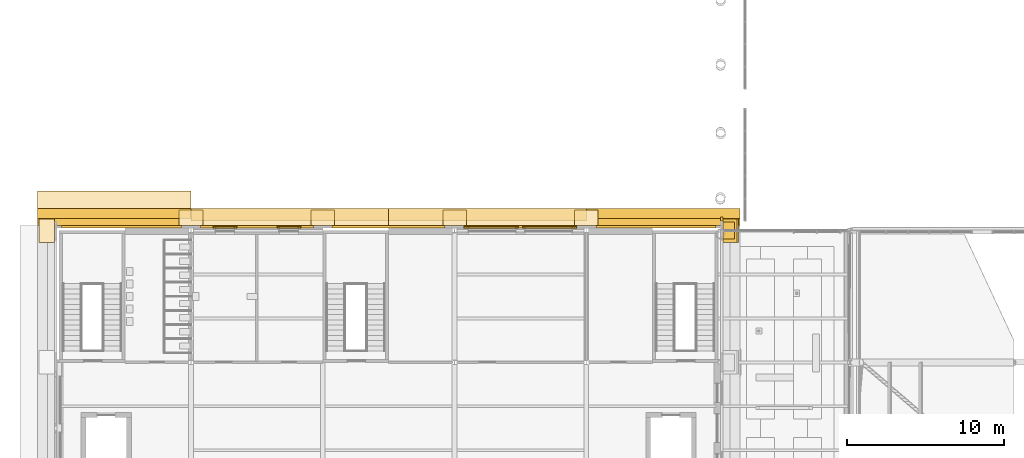
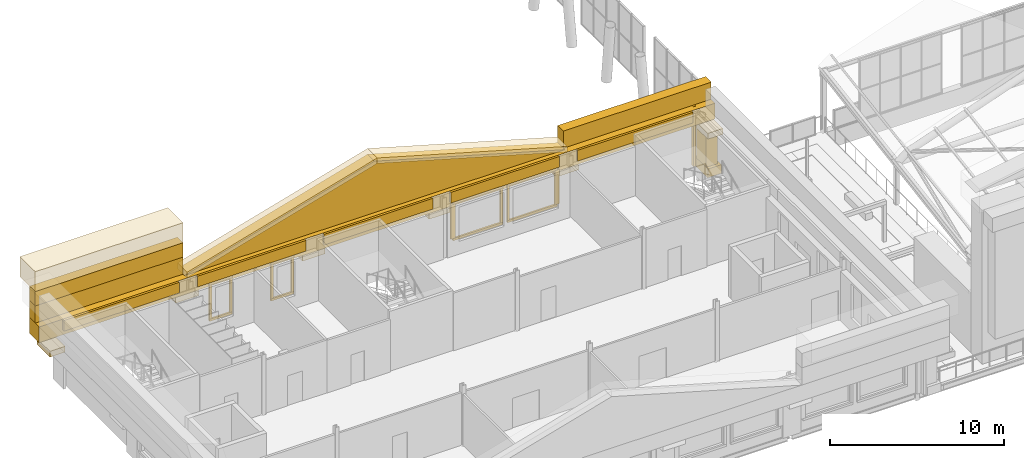
# One storey, part 57 of 76: 38 coverings.
"""IFC4 building model written with IfcOpenShell, lengths in metres."""

import ifcopenshell
import ifcopenshell.guid

model = None  # the IFC model being written
_history = None  # IfcOwnerHistory: only IFC2X3 demands one
_inside = {}  # id of a spatial element -> (the spatial element, [elements in it])
_under = {}  # id of a project, library or spatial element -> (it, [spatial elements below it])
_declared = {}  # id of a project -> (the project, [libraries it declares])
_typed = {}  # id of a type object -> (the type object, [elements of that type])
_made_of = {}  # id of a material, layer set ... -> (it, [elements and type objects made of it])


def new_model(schema):
    """Start an empty IFC model of exactly this schema.

    Asked for "IFC4X3", IfcOpenShell would pick the latest addendum, in which some entities
    have other attributes; the version numbers below select the first issue.
    IFC2X3 requires an IfcOwnerHistory on every rooted entity: one is made here for all.
    """
    global model, _history
    if schema == "IFC4X3":
        model = ifcopenshell.file(schema_version=(4, 3, 0, 0))
    else:
        model = ifcopenshell.file(schema=schema)
    _inside.clear()
    _under.clear()
    _declared.clear()
    _typed.clear()
    _made_of.clear()
    _history = None
    if model.schema == "IFC2X3":
        org = make("IfcOrganization", Name="unknown")
        user = make(
            "IfcPersonAndOrganization",
            ThePerson=make("IfcPerson", FamilyName="unknown"),
            TheOrganization=org,
        )
        app = make(
            "IfcApplication",
            ApplicationDeveloper=org,
            Version="unknown",
            ApplicationFullName="unknown",
            ApplicationIdentifier="unknown",
        )
        _history = make(
            "IfcOwnerHistory",
            OwningUser=user,
            OwningApplication=app,
            ChangeAction="ADDED",
            CreationDate=0,
        )
    return model


def make(cls, **values):
    """One entity of the class cls with the attributes given. An attribute that is None is left unset."""
    return model.create_entity(
        cls, **{name: value for name, value in values.items() if value is not None}
    )


def rooted(cls, **values):
    """An entity with a GlobalId (a new one), such as an element, a storey or a relation."""
    return make(cls, GlobalId=ifcopenshell.guid.new(), OwnerHistory=_history, **values)


def si_unit(unit_type, name, prefix=None):
    """IfcSIUnit, for example si_unit("LENGTHUNIT", "METRE", prefix="MILLI")."""
    return make("IfcSIUnit", UnitType=unit_type, Prefix=prefix, Name=name)


def assignment(units):
    """IfcUnitAssignment: the units of a project."""
    return None if units is None else make("IfcUnitAssignment", Units=units)


def point(xyz):
    """IfcCartesianPoint."""
    return None if xyz is None else make("IfcCartesianPoint", Coordinates=xyz)


def direction(xyz):
    """IfcDirection."""
    return None if xyz is None else make("IfcDirection", DirectionRatios=xyz)


def frame(location, z_axis=None, x_axis=None):
    """IfcAxis2Placement3D, a coordinate frame: its origin and axes. An axis left out is left unset."""
    return make(
        "IfcAxis2Placement3D",
        Location=point(location),
        Axis=direction(z_axis),
        RefDirection=direction(x_axis),
    )


def frame_2d(location, x_axis=None):
    """IfcAxis2Placement2D, a coordinate frame in the plane: its origin and x axis."""
    return make(
        "IfcAxis2Placement2D", Location=point(location), RefDirection=direction(x_axis)
    )


def origin():
    """The frame at (0, 0, 0) with its axes left unset."""
    return frame((0.0, 0.0, 0.0))


def origin_2d():
    """The frame at (0, 0) in the plane with its x axis left unset."""
    return frame_2d((0.0, 0.0))


def place(relative_to, where):
    """IfcLocalPlacement: puts the frame where relative to a parent placement (None: the world)."""
    return make(
        "IfcLocalPlacement", PlacementRelTo=relative_to, RelativePlacement=where
    )


def context(
    kind, dimensions, precision=None, world=None, true_north=None, identifier=None
):
    """IfcGeometricRepresentationContext, for example the 3D "Model" context."""
    return make(
        "IfcGeometricRepresentationContext",
        ContextIdentifier=identifier,
        ContextType=kind,
        CoordinateSpaceDimension=dimensions,
        Precision=precision,
        WorldCoordinateSystem=world,
        TrueNorth=true_north,
    )


def subcontext(parent, identifier, kind, view, scale=None):
    """IfcGeometricRepresentationSubContext, for example "Body" below "Model"."""
    return make(
        "IfcGeometricRepresentationSubContext",
        ContextIdentifier=identifier,
        ContextType=kind,
        ParentContext=parent,
        TargetScale=scale,
        TargetView=view,
    )


def project(units=None, contexts=None):
    """IfcProject with its units and contexts."""
    return rooted(
        "IfcProject",
        Name="project",
        RepresentationContexts=contexts,
        UnitsInContext=assignment(units),
    )


def spatial(cls, under=None, at=None, **own):
    """A site, building, storey or space (cls), placed at a placement, below another one or the project."""
    s = rooted(cls, ObjectPlacement=at, **own)
    if under is not None:
        _under.setdefault(under.id(), (under, []))[1].append(s)
    return s


def polyline(points):
    """IfcPolyline through the points."""
    return make("IfcPolyline", Points=[point(p) for p in points])


def profile(cls, at=None, kind="AREA", **sizes):
    """A parametric profile (cls). Its sizes go by their IFC names, for example OverallWidth=200.0."""
    return make(cls, ProfileType=kind, Position=at, **sizes)


def rectangle(**sizes):
    """IfcRectangleProfileDef."""
    return profile("IfcRectangleProfileDef", **sizes)


def outline(outer, holes=None, kind="AREA"):
    """IfcArbitraryClosedProfileDef: a profile drawn as a closed curve; with holes, ...WithVoids."""
    if holes is None:
        return make("IfcArbitraryClosedProfileDef", ProfileType=kind, OuterCurve=outer)
    return make(
        "IfcArbitraryProfileDefWithVoids",
        ProfileType=kind,
        OuterCurve=outer,
        InnerCurves=holes,
    )


def extrude(swept, where, along, depth):
    """IfcExtrudedAreaSolid: the profile swept, set in the frame where, extruded along a direction by depth."""
    return make(
        "IfcExtrudedAreaSolid",
        SweptArea=swept,
        Position=where,
        ExtrudedDirection=direction(along),
        Depth=depth,
    )


def shape(context_of_items, identifier, shape_type, items):
    """IfcShapeRepresentation: the items that make up one representation, for example the "Body"."""
    return make(
        "IfcShapeRepresentation",
        ContextOfItems=context_of_items,
        RepresentationIdentifier=identifier,
        RepresentationType=shape_type,
        Items=items,
    )


def material(Name=None, Category=None):
    """IfcMaterial."""
    return make("IfcMaterial", Name=Name, Category=Category)


def layer(
    of_material, thickness, ventilated=None, Name=None, Category=None, Priority=None
):
    """IfcMaterialLayer: one layer of a wall or slab, of a material (None: an air gap)."""
    return make(
        "IfcMaterialLayer",
        Material=of_material,
        LayerThickness=thickness,
        IsVentilated=ventilated,
        Name=Name,
        Category=Category,
        Priority=Priority,
    )


def layer_set(layers, Name=None):
    """IfcMaterialLayerSet."""
    return make("IfcMaterialLayerSet", MaterialLayers=layers, LayerSetName=Name)


def made_of(thing, what):
    """Note that an element or type object is made of a material, layer set ...; save() writes the relation."""
    if what is not None:
        _made_of.setdefault(what.id(), (what, []))[1].append(thing)
    return thing


def type_object(cls, material=None, **own):
    """A type object (cls), such as IfcWallType, which elements share."""
    return made_of(rooted(cls, **own), material)


def element(
    cls,
    number,
    at=None,
    inside=None,
    cuts=None,
    type_object=None,
    material=None,
    context=None,
    identifier="Body",
    shape_type=None,
    held_by="IfcProductDefinitionShape",
    body=None,
    shapes=None,
    **own,
):
    """One element of the class cls, such as IfcWall. Its Tag is "e" and its number.

    at: its placement. inside: the storey or other place that contains it. cuts: it is an
    opening in that element (IfcRelVoidsElement). A single representation is given by context,
    identifier, shape_type and body (its items); several are given by shapes. held_by: the class
    of the entity that holds the representations. save() writes the other relations.
    """
    e = rooted(cls, Tag="e%d" % number, ObjectPlacement=at, **own)
    if body is not None:
        shapes = [shape(context, identifier, shape_type, body)]
    if shapes is not None:
        e.Representation = make(held_by, Representations=shapes)
    if inside is not None:
        _inside.setdefault(inside.id(), (inside, []))[1].append(e)
    if cuts is not None:
        rooted(
            "IfcRelVoidsElement", RelatingBuildingElement=cuts, RelatedOpeningElement=e
        )
    if type_object is not None:
        _typed.setdefault(type_object.id(), (type_object, []))[1].append(e)
    return made_of(e, material)


def aggregate(whole, parts):
    """IfcRelAggregates: a whole, such as a stair, and the parts it consists of."""
    return rooted("IfcRelAggregates", RelatingObject=whole, RelatedObjects=parts)


def save(model, path):
    """Write the relations noted so far, then the file.

    IfcRelAggregates (storeys below a building ...), IfcRelContainedInSpatialStructure (elements
    in a storey), IfcRelDefinesByType, IfcRelAssociatesMaterial and IfcRelDeclares: one each for
    every whole, place, type object, material and project.
    """
    for whole, parts in _under.values():
        aggregate(whole, parts)
    for where, things in _inside.values():
        rooted(
            "IfcRelContainedInSpatialStructure",
            RelatedElements=things,
            RelatingStructure=where,
        )
    for kind, things in _typed.values():
        rooted("IfcRelDefinesByType", RelatedObjects=things, RelatingType=kind)
    for what, things in _made_of.values():
        rooted("IfcRelAssociatesMaterial", RelatedObjects=things, RelatingMaterial=what)
    for by, libraries in _declared.values():
        rooted("IfcRelDeclares", RelatingContext=by, RelatedDefinitions=libraries)
    model.write(path)


model = new_model("IFC4")

# Units and contexts
model_context = context("Model", 3, precision=1e-05, world=origin(), true_north=direction((0.0, 1.0)))
body_context = subcontext(model_context, "Body", "Model", "MODEL_VIEW")
ifc_project = project(units=[si_unit("LENGTHUNIT", "METRE"), si_unit("AREAUNIT", "SQUARE_METRE"), si_unit("VOLUMEUNIT", "CUBIC_METRE"), si_unit("PLANEANGLEUNIT", "RADIAN"), si_unit("MASSUNIT", "GRAM", prefix="KILO")], contexts=[model_context])

# Site, building, storey
site_placement = place(None, origin())
site = spatial("IfcSite", under=ifc_project, at=site_placement, CompositionType="ELEMENT")
building_placement = place(site_placement, origin())
building = spatial("IfcBuilding", under=site, at=building_placement, Name="Sava Quay Ferry Terminal", CompositionType="ELEMENT")
storey_placement = place(building_placement, frame((0.0, 0.0, 10.800048828125)))
storey = spatial("IfcBuildingStorey", under=building, at=storey_placement, Name="L02", CompositionType="ELEMENT", Elevation=10.800048828125)

# Coverings
ifc_material_1 = material(Name="Limestone Mutalj", Category="masonry")
ifc_layer_1 = layer(ifc_material_1, 1.75)
ifc_layer_set_1 = layer_set([ifc_layer_1], Name="Limestone Mutalj")
covering_type_1 = type_object("IfcCoveringType", Name="Attic crown cornice 1400", PredefinedType="MOLDING", material=ifc_layer_set_1)
covering_1_placement = place(storey_placement, frame((3.5, 52.034912109375, 6.39990234375), z_axis=(0.0, 0.0, 1.0), x_axis=(1.0, 0.0, 0.0)))
element("IfcCovering", 1, at=covering_1_placement, inside=storey, type_object=covering_type_1, Name="Attic crown cornice", PredefinedType="MOLDING", context=body_context, shape_type="SweptSolid", body=[
    extrude(rectangle(XDim=9.800048828125, YDim=1.75, at=origin_2d()), origin(), (0.0, 0.0, 1.0), 1.39990234375),
])
ifc_material_2 = material(Name="Limestone Mutalj", Category="masonry")
ifc_layer_2 = layer(ifc_material_2, 0.64990234375)
ifc_layer_set_2 = layer_set([ifc_layer_2], Name="Limestone Mutalj")
covering_type_2 = type_object("IfcCoveringType", Name="Attic frieze 1000", PredefinedType="CLADDING", material=ifc_layer_set_2)
covering_2_placement = place(storey_placement, frame((3.5, 51.485107421875, 5.39990234375), z_axis=(0.0, 0.0, 1.0), x_axis=(1.0, 0.0, 0.0)))
element("IfcCovering", 2, at=covering_2_placement, inside=storey, type_object=covering_type_2, Name="Attic frieze", PredefinedType="CLADDING", context=body_context, shape_type="SweptSolid", body=[
    extrude(rectangle(XDim=9.800048828125, YDim=0.64990234375, at=origin_2d()), origin(), (0.0, 0.0, 1.0), 1.0),
])
ifc_material_3 = material(Name="Limestone Mutalj", Category="masonry")
ifc_layer_3 = layer(ifc_material_3, 0.64990234375)
ifc_layer_set_3 = layer_set([ifc_layer_3], Name="Limestone Mutalj")
covering_type_3 = type_object("IfcCoveringType", Name="Attic parapet 650", PredefinedType="MOLDING", material=ifc_layer_set_3)
for number, where, z_axis, x_axis, name in (
    (3, (3.5, 51.485107421875, 4.2001953125), (0.0, 0.0, 1.0), (1.0, 0.0, 0.0), "Attic parapet W N"),
    (4, (38.5, 51.485107421875, 4.2001953125), (0.0, 0.0, 1.0), (1.0, 0.0, 0.0), "Attic parapet W N"),
):
    element("IfcCovering", number, at=place(storey_placement, frame(where, z_axis=z_axis, x_axis=x_axis)), inside=storey, type_object=covering_type_3, Name=name, PredefinedType="MOLDING", context=body_context, shape_type="SweptSolid", body=[
        extrude(rectangle(XDim=9.800048828125, YDim=0.64990234375, at=origin_2d()), origin(), (0.0, 0.0, 1.0), 1.199951171875),
    ])
ifc_material_4 = material(Name="Limestone Mutalj", Category="masonry")
ifc_layer_4 = layer(ifc_material_4, 1.10009765625)
ifc_layer_set_4 = layer_set([ifc_layer_4], Name="Limestone Mutalj")
covering_type_4 = type_object("IfcCoveringType", Name="Eaves cornice 1100", PredefinedType="MOLDING", material=ifc_layer_set_4)
covering_3_placement = place(storey_placement, frame((21.0, 51.260009765625, 3.099853515625), z_axis=(0.0, 0.0, 1.0), x_axis=(1.0, 0.0, 0.0)))
element("IfcCovering", 5, at=covering_3_placement, inside=storey, type_object=covering_type_4, Name="Eaves cornice W N", PredefinedType="MOLDING", context=body_context, shape_type="SweptSolid", body=[
    extrude(rectangle(XDim=44.800048828125, YDim=1.10009765625, at=origin_2d()), origin(), (0.0, 0.0, 1.0), 1.10009765625),
])
ifc_material_5 = material(Name="Limestone Mutalj", Category="masonry")
ifc_layer_5 = layer(ifc_material_5, 0.89990234375)
ifc_layer_set_5 = layer_set([ifc_layer_5], Name="Limestone Mutalj")
covering_type_5 = type_object("IfcCoveringType", Name="Giant-order pilaster base 1500", PredefinedType="MOLDING", material=ifc_layer_set_5)
covering_4_placement = place(storey_placement, frame((42.75, 50.39990234375, 0.0), z_axis=(0.0, 0.0, 1.0), x_axis=(1.0, 0.0, 0.0)))
element("IfcCovering", 6, at=covering_4_placement, inside=storey, type_object=covering_type_5, Name="Giant-order pilaster base", PredefinedType="MOLDING", context=body_context, shape_type="SweptSolid", body=[
    extrude(rectangle(XDim=0.89990234375, YDim=1.5, at=origin_2d()), origin(), (0.0, 0.0, 1.0), 0.60009765625),
])
ifc_material_6 = material(Name="Limestone Mutalj", Category="masonry")
ifc_layer_6 = layer(ifc_material_6, 0.75)
ifc_layer_set_6 = layer_set([ifc_layer_6], Name="Limestone Mutalj")
covering_type_6 = type_object("IfcCoveringType", Name="Giant-order pilaster shaft 1100", PredefinedType="CLADDING", material=ifc_layer_set_6)
covering_5_placement = place(storey_placement, frame((42.675048828125, 50.39990234375, 0.599853515625), z_axis=(0.0, 0.0, 1.0), x_axis=(1.0, 0.0, 0.0)))
element("IfcCovering", 7, at=covering_5_placement, inside=storey, type_object=covering_type_6, Name="Giant-order pilaster", PredefinedType="CLADDING", context=body_context, shape_type="SweptSolid", body=[
    extrude(rectangle(XDim=0.75, YDim=1.10009765625, at=origin_2d()), origin(), (0.0, 0.0, 1.0), 2.10009765625),
])
ifc_material_7 = material(Name="Limestone Mutalj", Category="masonry")
ifc_layer_7 = layer(ifc_material_7, 0.14990234375)
ifc_layer_set_7 = layer_set([ifc_layer_7], Name="Limestone Mutalj")
covering_type_7 = type_object("IfcCoveringType", Name="Limestone string course 150", PredefinedType="CLADDING", material=ifc_layer_set_7)
covering_6_placement = place(storey_placement, frame((0.0, 0.0, 3.449951171875)))
element("IfcCovering", 8, at=covering_6_placement, inside=storey, type_object=covering_type_7, Name="String course W-N", PredefinedType="CLADDING", context=body_context, shape_type="SweptSolid", body=[
    extrude(outline(polyline([(0.14990234375, 50.56005859375), (7.800048828125, 50.56005859375), (7.800048828125, 50.7099609375), (0.14990234375, 50.7099609375), (0.14990234375, 50.56005859375)])), origin(), (0.0, 0.0, 1.0), 0.75),
])
covering_7_placement = place(storey_placement, frame((0.0, 0.0, 3.449951171875)))
element("IfcCovering", 9, at=covering_7_placement, inside=storey, type_object=covering_type_7, Name="String course W-N", PredefinedType="CLADDING", context=body_context, shape_type="SweptSolid", body=[
    extrude(outline(polyline([(9.0, 50.56005859375), (16.199951171875, 50.56005859375), (16.199951171875, 50.7099609375), (9.0, 50.7099609375), (9.0, 50.56005859375)])), origin(), (0.0, 0.0, 1.0), 0.75),
])
covering_8_placement = place(storey_placement, frame((0.0, 0.0, 3.449951171875)))
element("IfcCovering", 10, at=covering_8_placement, inside=storey, type_object=covering_type_7, Name="String course W-N", PredefinedType="CLADDING", context=body_context, shape_type="SweptSolid", body=[
    extrude(outline(polyline([(17.39990234375, 50.56005859375), (24.60009765625, 50.56005859375), (24.60009765625, 50.7099609375), (17.39990234375, 50.7099609375), (17.39990234375, 50.56005859375)])), origin(), (0.0, 0.0, 1.0), 0.75),
])
covering_9_placement = place(storey_placement, frame((0.0, 0.0, 3.449951171875)))
element("IfcCovering", 11, at=covering_9_placement, inside=storey, type_object=covering_type_7, Name="String course W-N", PredefinedType="CLADDING", context=body_context, shape_type="SweptSolid", body=[
    extrude(outline(polyline([(25.800048828125, 50.56005859375), (33.0, 50.56005859375), (33.0, 50.7099609375), (25.800048828125, 50.7099609375), (25.800048828125, 50.56005859375)])), origin(), (0.0, 0.0, 1.0), 0.75),
])
covering_10_placement = place(storey_placement, frame((0.0, 0.0, 3.449951171875)))
element("IfcCovering", 12, at=covering_10_placement, inside=storey, type_object=covering_type_7, Name="String course W-N", PredefinedType="CLADDING", context=body_context, shape_type="SweptSolid", body=[
    extrude(outline(polyline([(34.199951171875, 50.56005859375), (41.85009765625, 50.56005859375), (41.85009765625, 50.7099609375), (34.199951171875, 50.7099609375), (34.199951171875, 50.56005859375)])), origin(), (0.0, 0.0, 1.0), 0.75),
])
ifc_material_8 = material(Name="Limestone Mutalj", Category="masonry")
ifc_layer_8 = layer(ifc_material_8, 0.800048828125)
ifc_layer_set_8 = layer_set([ifc_layer_8], Name="Limestone Mutalj")
covering_type_8 = type_object("IfcCoveringType", Name="Pediment tympanum 800", PredefinedType="CLADDING", material=ifc_layer_set_8)
covering_11_placement = place(storey_placement, frame((8.39990234375, 51.0, 4.199951171875), z_axis=(0.0, -1.0, 0.0), x_axis=(1.0, 0.0, 0.0)))
element("IfcCovering", 13, at=covering_11_placement, inside=storey, type_object=covering_type_8, Name="Front pediment W N", PredefinedType="CLADDING", context=body_context, shape_type="SweptSolid", body=[
    extrude(outline(polyline([(0.0, 0.0), (25.2001953125, 0.0), (12.60009765625, 3.60009765625), (0.0, 0.0)])), origin(), (0.0, 0.0, -1.0), 0.81005859375),
])
ifc_material_9 = material(Name="Limestone Mutalj", Category="masonry")
ifc_layer_9 = layer(ifc_material_9, 0.14990234375)
ifc_layer_set_9 = layer_set([ifc_layer_9], Name="Limestone Mutalj")
covering_type_9 = type_object("IfcCoveringType", Name="Pier closer piece 150", PredefinedType="CLADDING", material=ifc_layer_set_9)
covering_12_placement = place(storey_placement, frame((42.22509765625, 51.139892578125, 0.0), z_axis=(0.0, 0.0, 1.0), x_axis=(1.0, 0.0, 0.0)))
element("IfcCovering", 14, at=covering_12_placement, inside=storey, type_object=covering_type_9, Name="Pier closer piece", PredefinedType="CLADDING", context=body_context, shape_type="SweptSolid", body=[
    extrude(rectangle(XDim=0.14990234375, YDim=0.280029296875, at=origin_2d()), origin(), (0.0, 0.0, 1.0), 4.199951171875),
])
ifc_material_10 = material(Name="Limestone Mutalj", Category="masonry")
ifc_layer_10 = layer(ifc_material_10, 1.0)
ifc_layer_set_10 = layer_set([ifc_layer_10], Name="Limestone Mutalj")
covering_type_10 = type_object("IfcCoveringType", Name="Pilaster capital block 1500", PredefinedType="MOLDING", material=ifc_layer_set_10)
covering_13_placement = place(storey_placement, frame((42.800048828125, 50.39990234375, 2.699951171875), z_axis=(0.0, 0.0, 1.0), x_axis=(1.0, 0.0, 0.0)))
element("IfcCovering", 15, at=covering_13_placement, inside=storey, type_object=covering_type_10, Name="Giant-order capital", PredefinedType="MOLDING", context=body_context, shape_type="SweptSolid", body=[
    extrude(rectangle(XDim=1.0, YDim=1.5, at=origin_2d()), origin(), (0.0, 0.0, 1.0), 0.39990234375),
])
for number, where, z_axis, x_axis, name in (
    (16, (8.39990234375, 51.2099609375, 2.699951171875), (0.0, 0.0, 1.0), (1.0, 0.0, 0.0), "Giant-order capital"),
    (17, (16.800048828125, 51.2099609375, 2.699951171875), (0.0, 0.0, 1.0), (1.0, 0.0, 0.0), "Giant-order capital"),
    (18, (25.199951171875, 51.2099609375, 2.699951171875), (0.0, 0.0, 1.0), (1.0, 0.0, 0.0), "Giant-order capital"),
    (19, (33.60009765625, 51.2099609375, 2.699951171875), (0.0, 0.0, 1.0), (1.0, 0.0, 0.0), "Giant-order capital"),
):
    element("IfcCovering", number, at=place(storey_placement, frame(where, z_axis=z_axis, x_axis=x_axis)), inside=storey, type_object=covering_type_10, Name=name, PredefinedType="MOLDING", context=body_context, shape_type="SweptSolid", body=[
        extrude(rectangle(XDim=1.5, YDim=1.0, at=origin_2d()), origin(), (0.0, 0.0, 1.0), 0.39990234375),
    ])
covering_14_placement = place(storey_placement, frame((-0.800048828125, 50.39990234375, 2.699951171875), z_axis=(0.0, 0.0, 1.0), x_axis=(1.0, 0.0, 0.0)))
element("IfcCovering", 20, at=covering_14_placement, inside=storey, type_object=covering_type_10, Name="Giant-order capital", PredefinedType="MOLDING", context=body_context, shape_type="SweptSolid", body=[
    extrude(rectangle(XDim=1.0, YDim=1.5, at=origin_2d()), origin(), (0.0, 0.0, 1.0), 0.39990234375),
])
ifc_material_11 = material(Name="Limestone Mutalj", Category="masonry")
ifc_layer_11 = layer(ifc_material_11, 0.1201171875)
ifc_layer_set_11 = layer_set([ifc_layer_11], Name="Limestone Mutalj")
covering_type_11 = type_object("IfcCoveringType", Name="Plain window architrave 150", PredefinedType="MOLDING", material=ifc_layer_set_11)
for number, where, z_axis, x_axis, name in (
    (21, (9.887451171875, 50.6201171875, 0.89990234375), (0.0, 0.0, 1.0), (1.0, 0.0, 0.0), "Plain window architrave"),
    (22, (11.237548828125, 50.6201171875, 0.89990234375), (0.0, 0.0, 1.0), (1.0, 0.0, 0.0), "Plain window architrave"),
):
    element("IfcCovering", number, at=place(storey_placement, frame(where, z_axis=z_axis, x_axis=x_axis)), inside=storey, type_object=covering_type_11, Name=name, PredefinedType="MOLDING", context=body_context, shape_type="SweptSolid", body=[
        extrude(rectangle(XDim=0.14990234375, YDim=0.1201171875, at=origin_2d()), origin(), (0.0, 0.0, 1.0), 2.39990234375),
    ])
for number, where, z_axis, x_axis, name in (
    (23, (10.5625, 50.6201171875, 3.300048828125), (0.0, 0.0, 1.0), (1.0, 0.0, 0.0), "Plain window architrave"),
    (24, (10.5625, 50.6201171875, 0.75), (0.0, 0.0, 1.0), (1.0, 0.0, 0.0), "Plain window architrave"),
):
    element("IfcCovering", number, at=place(storey_placement, frame(where, z_axis=z_axis, x_axis=x_axis)), inside=storey, type_object=covering_type_11, Name=name, PredefinedType="MOLDING", context=body_context, shape_type="SweptSolid", body=[
        extrude(rectangle(XDim=1.5, YDim=0.1201171875, at=origin_2d()), origin(), (0.0, 0.0, 1.0), 0.14990234375),
    ])
for number, where, z_axis, x_axis, name in (
    (25, (13.96240234375, 50.6201171875, 0.89990234375), (0.0, 0.0, 1.0), (1.0, 0.0, 0.0), "Plain window architrave"),
    (26, (15.3125, 50.6201171875, 0.89990234375), (0.0, 0.0, 1.0), (1.0, 0.0, 0.0), "Plain window architrave"),
):
    element("IfcCovering", number, at=place(storey_placement, frame(where, z_axis=z_axis, x_axis=x_axis)), inside=storey, type_object=covering_type_11, Name=name, PredefinedType="MOLDING", context=body_context, shape_type="SweptSolid", body=[
        extrude(rectangle(XDim=0.14990234375, YDim=0.1201171875, at=origin_2d()), origin(), (0.0, 0.0, 1.0), 2.39990234375),
    ])
for number, where, z_axis, x_axis, name in (
    (27, (14.637451171875, 50.6201171875, 3.300048828125), (0.0, 0.0, 1.0), (1.0, 0.0, 0.0), "Plain window architrave"),
    (28, (14.637451171875, 50.6201171875, 0.75), (0.0, 0.0, 1.0), (1.0, 0.0, 0.0), "Plain window architrave"),
):
    element("IfcCovering", number, at=place(storey_placement, frame(where, z_axis=z_axis, x_axis=x_axis)), inside=storey, type_object=covering_type_11, Name=name, PredefinedType="MOLDING", context=body_context, shape_type="SweptSolid", body=[
        extrude(rectangle(XDim=1.5, YDim=0.1201171875, at=origin_2d()), origin(), (0.0, 0.0, 1.0), 0.14990234375),
    ])
covering_15_placement = place(storey_placement, frame((25.949951171875, 50.6201171875, 0.89990234375), z_axis=(0.0, 0.0, 1.0), x_axis=(1.0, 0.0, 0.0)))
element("IfcCovering", 29, at=covering_15_placement, inside=storey, type_object=covering_type_11, Name="Plain window architrave", PredefinedType="MOLDING", context=body_context, shape_type="SweptSolid", body=[
    extrude(rectangle(XDim=0.300048828125, YDim=0.1201171875, at=origin_2d()), origin(), (0.0, 0.0, 1.0), 2.39990234375),
])
covering_16_placement = place(storey_placement, frame((29.175048828125, 50.6201171875, 0.89990234375), z_axis=(0.0, 0.0, 1.0), x_axis=(1.0, 0.0, 0.0)))
element("IfcCovering", 30, at=covering_16_placement, inside=storey, type_object=covering_type_11, Name="Plain window architrave", PredefinedType="MOLDING", context=body_context, shape_type="SweptSolid", body=[
    extrude(rectangle(XDim=0.14990234375, YDim=0.1201171875, at=origin_2d()), origin(), (0.0, 0.0, 1.0), 2.39990234375),
])
for number, where, z_axis, x_axis, name in (
    (31, (27.60009765625, 50.6201171875, 3.300048828125), (0.0, 0.0, 1.0), (1.0, 0.0, 0.0), "Plain window architrave"),
    (32, (27.60009765625, 50.6201171875, 0.75), (0.0, 0.0, 1.0), (1.0, 0.0, 0.0), "Plain window architrave"),
):
    element("IfcCovering", number, at=place(storey_placement, frame(where, z_axis=z_axis, x_axis=x_axis)), inside=storey, type_object=covering_type_11, Name=name, PredefinedType="MOLDING", context=body_context, shape_type="SweptSolid", body=[
        extrude(rectangle(XDim=3.300048828125, YDim=0.1201171875, at=origin_2d()), origin(), (0.0, 0.0, 1.0), 0.14990234375),
    ])
covering_17_placement = place(storey_placement, frame((29.625, 50.6201171875, 0.89990234375), z_axis=(0.0, 0.0, 1.0), x_axis=(1.0, 0.0, 0.0)))
element("IfcCovering", 33, at=covering_17_placement, inside=storey, type_object=covering_type_11, Name="Plain window architrave", PredefinedType="MOLDING", context=body_context, shape_type="SweptSolid", body=[
    extrude(rectangle(XDim=0.14990234375, YDim=0.1201171875, at=origin_2d()), origin(), (0.0, 0.0, 1.0), 2.39990234375),
])
covering_18_placement = place(storey_placement, frame((32.85009765625, 50.6201171875, 0.89990234375), z_axis=(0.0, 0.0, 1.0), x_axis=(1.0, 0.0, 0.0)))
element("IfcCovering", 34, at=covering_18_placement, inside=storey, type_object=covering_type_11, Name="Plain window architrave", PredefinedType="MOLDING", context=body_context, shape_type="SweptSolid", body=[
    extrude(rectangle(XDim=0.300048828125, YDim=0.1201171875, at=origin_2d()), origin(), (0.0, 0.0, 1.0), 2.39990234375),
])
for number, where, z_axis, x_axis, name in (
    (35, (31.199951171875, 50.6201171875, 3.300048828125), (0.0, 0.0, 1.0), (1.0, 0.0, 0.0), "Plain window architrave"),
    (36, (31.199951171875, 50.6201171875, 0.75), (0.0, 0.0, 1.0), (1.0, 0.0, 0.0), "Plain window architrave"),
):
    element("IfcCovering", number, at=place(storey_placement, frame(where, z_axis=z_axis, x_axis=x_axis)), inside=storey, type_object=covering_type_11, Name=name, PredefinedType="MOLDING", context=body_context, shape_type="SweptSolid", body=[
        extrude(rectangle(XDim=3.300048828125, YDim=0.1201171875, at=origin_2d()), origin(), (0.0, 0.0, 1.0), 0.14990234375),
    ])
ifc_material_12 = material(Name="Limestone Mutalj", Category="masonry")
ifc_layer_12 = layer(ifc_material_12, 1.39990234375)
ifc_layer_set_12 = layer_set([ifc_layer_12], Name="Limestone Mutalj")
covering_type_12 = type_object("IfcCoveringType", Name="Raking cornice 500", PredefinedType="MOLDING", material=ifc_layer_set_12)
covering_19_placement = place(storey_placement, frame((8.39990234375, 50.7099609375, 4.199951171875), z_axis=(0.0, -1.0, 0.0), x_axis=(0.961522541549, 0.0, 0.27472604917)))
element("IfcCovering", 37, at=covering_19_placement, inside=storey, type_object=covering_type_12, Name="Front raking cornice W N", PredefinedType="MOLDING", context=body_context, shape_type="SweptSolid", body=[
    extrude(outline(polyline([(0.0, 0.0), (13.104318527934732, 4.440892098500626e-16), (13.214182118887152, 0.38451511793397986), (0.10986359095242128, 0.3845151179339796), (0.0, 0.0)])), origin(), (0.0, 0.0, -1.0), 1.10009765625),
])
covering_20_placement = place(storey_placement, frame((21.0, 50.7099609375, 7.800048828125), z_axis=(0.0, -1.0, 0.0), x_axis=(0.961522541549, 0.0, -0.27472604917)))
element("IfcCovering", 38, at=covering_20_placement, inside=storey, type_object=covering_type_12, Name="Front raking cornice W N", PredefinedType="MOLDING", context=body_context, shape_type="SweptSolid", body=[
    extrude(outline(polyline([(0.0, 0.0), (13.104318527934732, -4.440892098500626e-16), (12.99445493698231, 0.3845151179339794), (-0.10986359095242128, 0.3845151179339796), (0.0, 0.0)])), origin(), (0.0, 0.0, -1.0), 1.10009765625),
])

save(model, "model.ifc")
